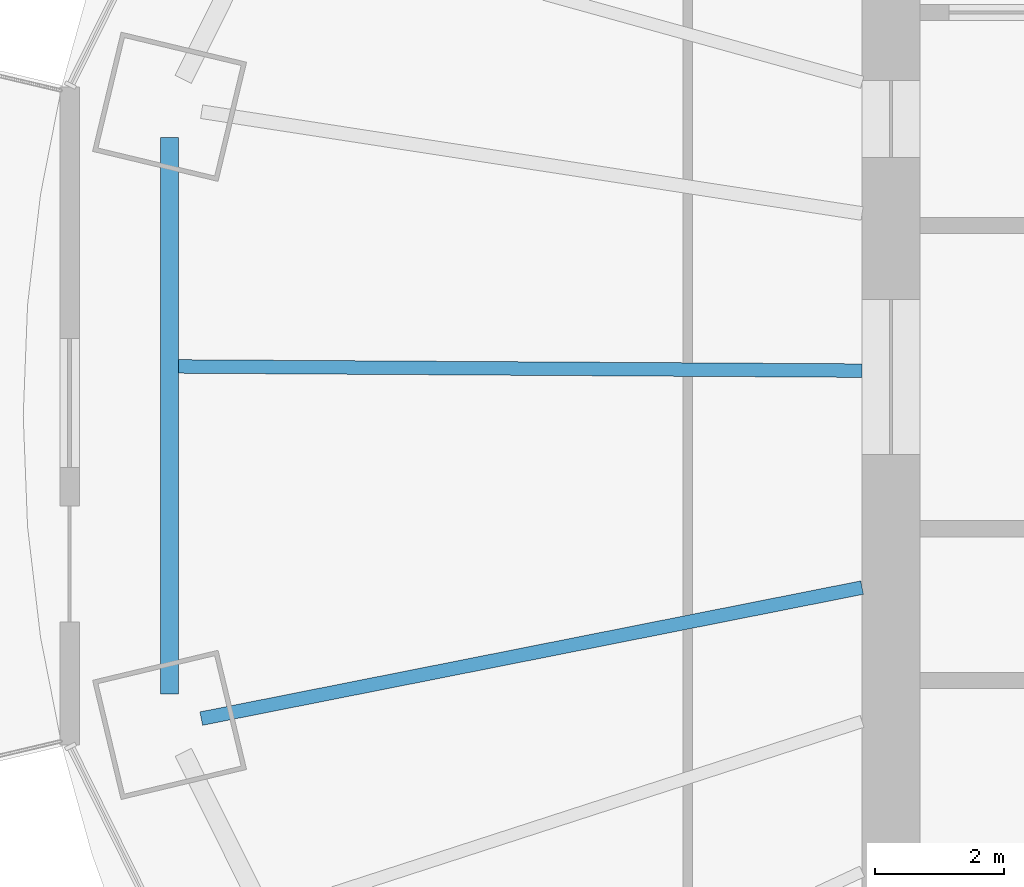
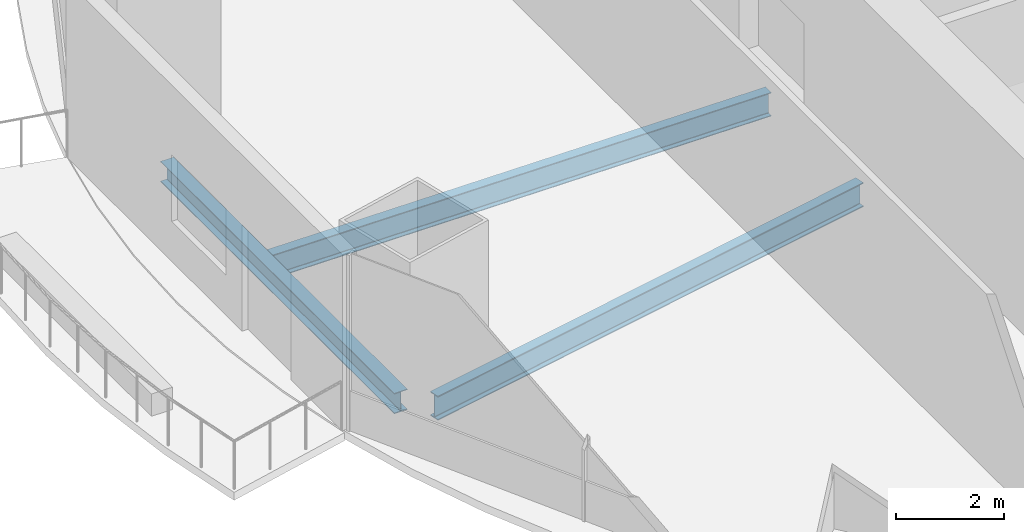
# One storey, part 3 of 20: 3 beams.
"""IFC4 building model written with IfcOpenShell, lengths in metres."""

from ifc_helpers import new_model, si_unit, direction, frame, origin, origin_2d, place, context, subcontext, project, spatial, i_section, extrude, material, material_profile, profile_set, type_object, element, save


model = new_model("IFC4")

# Units and contexts
model_context = context("Model", 3, precision=1e-05, world=origin(), true_north=direction((0.0, 1.0)))
body_context = subcontext(model_context, "Body", "Model", "MODEL_VIEW")
ifc_project = project(units=[si_unit("LENGTHUNIT", "METRE"), si_unit("AREAUNIT", "SQUARE_METRE"), si_unit("VOLUMEUNIT", "CUBIC_METRE"), si_unit("PLANEANGLEUNIT", "RADIAN"), si_unit("MASSUNIT", "GRAM", prefix="KILO")], contexts=[model_context])

# Site, building, storey
site_placement = place(None, origin())
site = spatial("IfcSite", under=ifc_project, at=site_placement, CompositionType="ELEMENT")
building_placement = place(site_placement, origin())
building = spatial("IfcBuilding", under=site, at=building_placement, Name="Marenthal Gate Tower", CompositionType="ELEMENT")
storey_placement = place(building_placement, frame((0.0, 0.0, 210.85009765625)))
storey = spatial("IfcBuildingStorey", under=building, at=storey_placement, Name="L46", CompositionType="ELEMENT", Elevation=210.85009765625)

# Beams
ifc_material_1 = material(Name="Steel S355", Category="steel")
ifc_material_profile_1 = material_profile(ifc_material_1, i_section(OverallWidth=0.279052734375, OverallDepth=0.4619140625, WebThickness=0.0107421875, FlangeThickness=0.017333984375, FilletRadius=0.010009765625, at=origin_2d()), Name="W460X113")
ifc_profile_set_1 = profile_set([ifc_material_profile_1], Name="Steel S355")
beam_type_1 = type_object("IfcBeamType", Name="W460X113 beam", PredefinedType="BEAM", material=ifc_profile_set_1)
beam_1_placement = place(storey_placement, frame((-27.18212890625, 3.712646484375, -0.4111328125), z_axis=(0.0, -1.0, 0.0), x_axis=(1.0, 0.0, 0.0)))
element("IfcBeam", 1, at=beam_1_placement, inside=storey, type_object=beam_type_1, Name="BM-L46-48", PredefinedType="BEAM", context=body_context, shape_type="SweptSolid", body=[
    extrude(i_section(OverallWidth=0.279052734375, OverallDepth=0.4619140625, WebThickness=0.0107421875, FlangeThickness=0.017333984375, FilletRadius=0.010009765625, at=origin_2d()), origin(), (0.0, 0.0, 1.0), 8.625244140625),
])
ifc_material_2 = material(Name="Steel S355", Category="steel")
ifc_material_profile_2 = material_profile(ifc_material_2, i_section(OverallWidth=0.2099609375, OverallDepth=0.535888671875, WebThickness=0.010986328125, FlangeThickness=0.017333984375, FilletRadius=0.0126953125, at=origin_2d()), Name="W530X101")
ifc_profile_set_2 = profile_set([ifc_material_profile_2], Name="Steel S355")
beam_type_2 = type_object("IfcBeamType", Name="W530X101 beam", PredefinedType="BEAM", material=ifc_profile_set_2)
beam_2_placement = place(storey_placement, frame((-27.042724609375, 0.16552734375, -0.447998046875), z_axis=(0.999981207621, -0.006130612179, 0.0), x_axis=(0.006130612179, 0.999981207621, 0.0)))
element("IfcBeam", 2, at=beam_2_placement, inside=storey, type_object=beam_type_2, Name="BM-L46-28", PredefinedType="BEAM", context=body_context, shape_type="SweptSolid", body=[
    extrude(i_section(OverallWidth=0.2099609375, OverallDepth=0.535888671875, WebThickness=0.010986328125, FlangeThickness=0.017333984375, FilletRadius=0.0126953125, at=origin_2d()), origin(), (0.0, 0.0, 1.0), 10.593017578125),
])
ifc_material_3 = material(Name="Steel S355", Category="steel")
ifc_material_profile_3 = material_profile(ifc_material_3, i_section(OverallWidth=0.2119140625, OverallDepth=0.5439453125, WebThickness=0.01318359375, FlangeThickness=0.021240234375, FilletRadius=0.0126953125, at=origin_2d()), Name="W530X123")
ifc_profile_set_3 = profile_set([ifc_material_profile_3], Name="Steel S355")
beam_type_3 = type_object("IfcBeamType", Name="W530X123 beam", PredefinedType="BEAM", material=ifc_profile_set_3)
beam_3_placement = place(storey_placement, frame((-26.69091796875, -5.2919921875, -0.4521484375), z_axis=(0.980909367925, 0.194465451729, 0.0), x_axis=(-0.194465451729, 0.980909367925, 0.0)))
element("IfcBeam", 3, at=beam_3_placement, inside=storey, type_object=beam_type_3, Name="BM-L46-09", PredefinedType="BEAM", context=body_context, shape_type="SweptSolid", body=[
    extrude(i_section(OverallWidth=0.2119140625, OverallDepth=0.5439453125, WebThickness=0.01318359375, FlangeThickness=0.021240234375, FilletRadius=0.0126953125, at=origin_2d()), origin(), (0.0, 0.0, 1.0), 10.440185546875),
])

save(model, "model.ifc")
